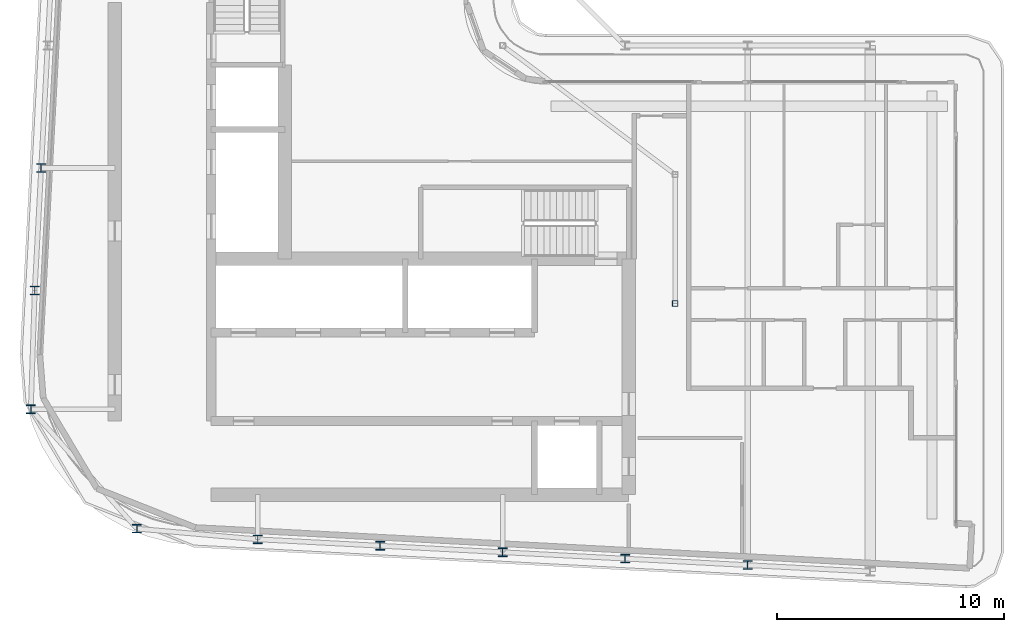
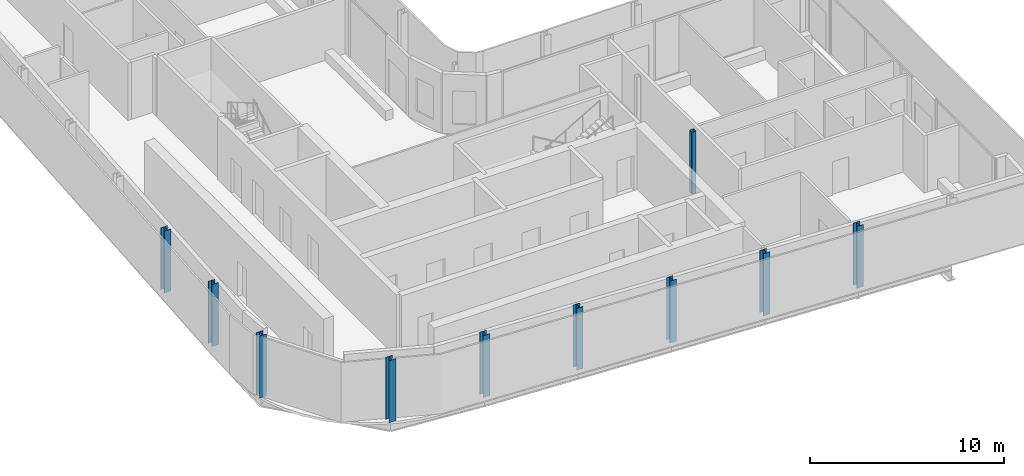
# One storey, part 1 of 21: 10 columns.
"""IFC4 building model written with IfcOpenShell, lengths in metres."""

from ifc_helpers import new_model, si_unit, direction, frame, origin, origin_2d, place, context, subcontext, project, spatial, hollow_rectangle, i_section, extrude, material, material_profile, profile_set, type_object, element, save


model = new_model("IFC4")

# Units and contexts
model_context = context("Model", 3, precision=1e-05, world=origin(), true_north=direction((0.0, 1.0)))
body_context = subcontext(model_context, "Body", "Model", "MODEL_VIEW")
ifc_project = project(units=[si_unit("LENGTHUNIT", "METRE"), si_unit("AREAUNIT", "SQUARE_METRE"), si_unit("VOLUMEUNIT", "CUBIC_METRE"), si_unit("PLANEANGLEUNIT", "RADIAN"), si_unit("MASSUNIT", "GRAM", prefix="KILO")], contexts=[model_context])

# Site, building, storey
site_placement = place(None, origin())
site = spatial("IfcSite", under=ifc_project, at=site_placement, CompositionType="ELEMENT")
building_placement = place(site_placement, origin())
building = spatial("IfcBuilding", under=site, at=building_placement, Name="Kheshtan School and Residences Tower", CompositionType="ELEMENT")
storey_placement = place(building_placement, frame((0.0, 0.0, 290.300048828125)))
storey = spatial("IfcBuildingStorey", under=building, at=storey_placement, Name="L68", CompositionType="ELEMENT", Elevation=290.300048828125)

# Columns
ifc_material_1 = material(Name="Steel ASTM A992 Grade 50", Category="steel")
ifc_material_profile_1 = material_profile(ifc_material_1, i_section(OverallWidth=0.39501953125, OverallDepth=0.3798828125, WebThickness=0.018798828125, FlangeThickness=0.0302734375, FilletRadius=0.011474609375, at=origin_2d()), Name="W360x237")
ifc_profile_set_1 = profile_set([ifc_material_profile_1], Name="Steel ASTM A992 Grade 50")
column_type_1 = type_object("IfcColumnType", Name="Column C5 W360x237 ASTM A992 Grade 50", PredefinedType="COLUMN", material=ifc_profile_set_1)
for number, where, z_axis, x_axis, name in (
    (1, (58.39990234375, 22.695068359375, 0.0), (0.0, 0.0, 1.0), (1.0, 0.0, 0.0), "Column C018"),
    (2, (53.0, 22.97998046875, 0.0), (0.0, 0.0, 1.0), (1.0, 0.0, 0.0), "Column C019"),
    (3, (47.60009765625, 23.263916015625, 0.0), (0.0, 0.0, 1.0), (1.0, 0.0, 0.0), "Column C020"),
    (4, (42.199951171875, 23.548095703125, 0.0), (0.0, 0.0, 1.0), (1.0, 0.0, 0.0), "Column C021"),
    (5, (36.800048828125, 23.83203125, 0.0), (0.0, 0.0, 1.0), (1.0, 0.0, 0.0), "Column C022"),
    (6, (31.47412109375, 24.302001953125, 0.0), (0.0, 0.0, 1.0), (1.0, 0.0, 0.0), "Column C031"),
    (7, (26.797119140625, 29.56591796875, 0.0), (0.0, 0.0, 1.0), (1.0, 0.0, 0.0), "Column C044"),
    (8, (26.968994140625, 34.800048828125, 0.0), (0.0, 0.0, 1.0), (1.0, 0.0, 0.0), "Column C052"),
    (9, (27.2529296875, 40.199951171875, 0.0), (0.0, 0.0, 1.0), (1.0, 0.0, 0.0), "Column C056"),
):
    element("IfcColumn", number, at=place(storey_placement, frame(where, z_axis=z_axis, x_axis=x_axis)), inside=storey, type_object=column_type_1, Name=name, PredefinedType="COLUMN", context=body_context, shape_type="SweptSolid", body=[
        extrude(i_section(OverallWidth=0.39501953125, OverallDepth=0.3798828125, WebThickness=0.018798828125, FlangeThickness=0.0302734375, FilletRadius=0.011474609375, at=origin_2d()), origin(), (0.0, 0.0, 1.0), 3.89990234375),
    ])
ifc_material_2 = material(Name="Steel ASTM A500 Grade C", Category="steel")
ifc_material_profile_2 = material_profile(ifc_material_2, hollow_rectangle(XDim=0.25390625, YDim=0.25390625, WallThickness=0.0126953125, InnerFilletRadius=0.0126953125, OuterFilletRadius=0.025390625, at=origin_2d()), Name="HSS 254x254x12.7")
ifc_profile_set_2 = profile_set([ifc_material_profile_2], Name="Steel ASTM A500 Grade C")
column_type_2 = type_object("IfcColumnType", Name="Column IC3 HSS 254x254x12.7 ASTM A500 Grade C", PredefinedType="COLUMN", material=ifc_profile_set_2)
column_placement = place(storey_placement, frame((55.199951171875, 34.23193359375, 0.0), z_axis=(0.0, 0.0, 1.0), x_axis=(1.0, 0.0, 0.0)))
element("IfcColumn", 10, at=column_placement, inside=storey, type_object=column_type_2, Name="Column C051", PredefinedType="COLUMN", context=body_context, shape_type="SweptSolid", body=[
    extrude(hollow_rectangle(XDim=0.25390625, YDim=0.25390625, WallThickness=0.0126953125, InnerFilletRadius=0.0126953125, OuterFilletRadius=0.025390625, at=origin_2d()), origin(), (0.0, 0.0, 1.0), 3.89990234375),
])

save(model, "model.ifc")
